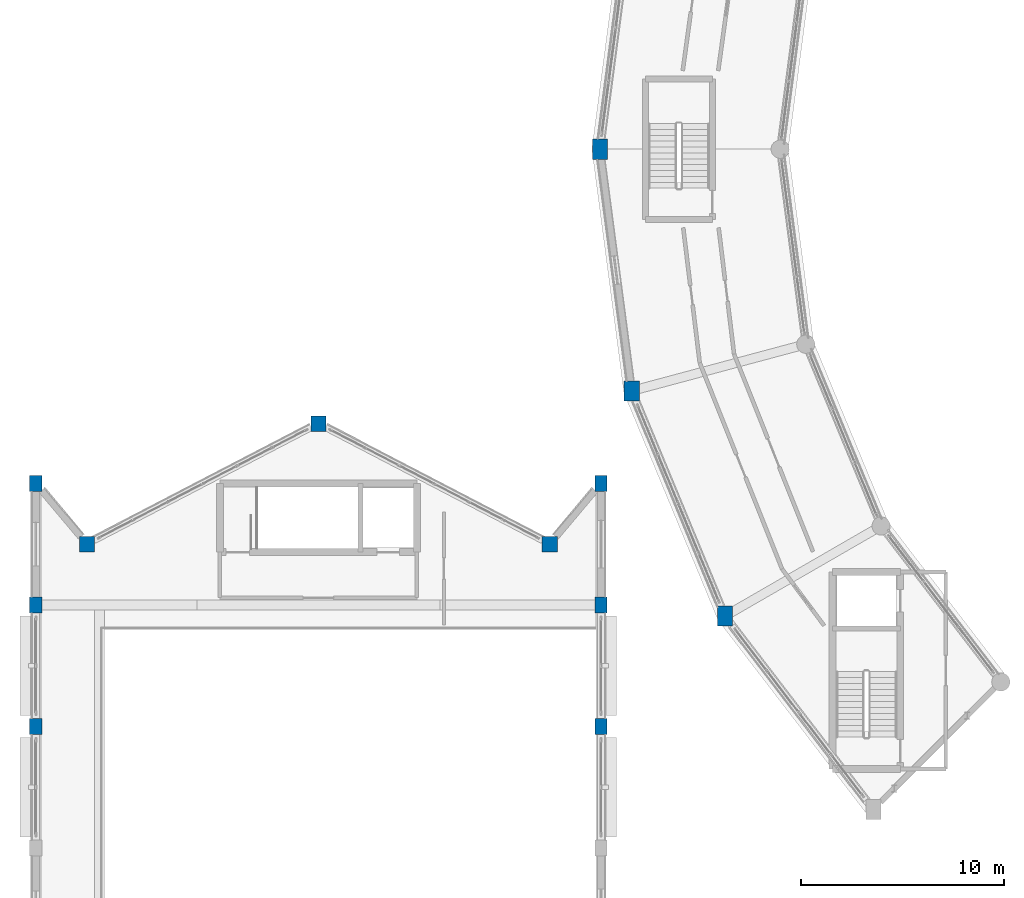
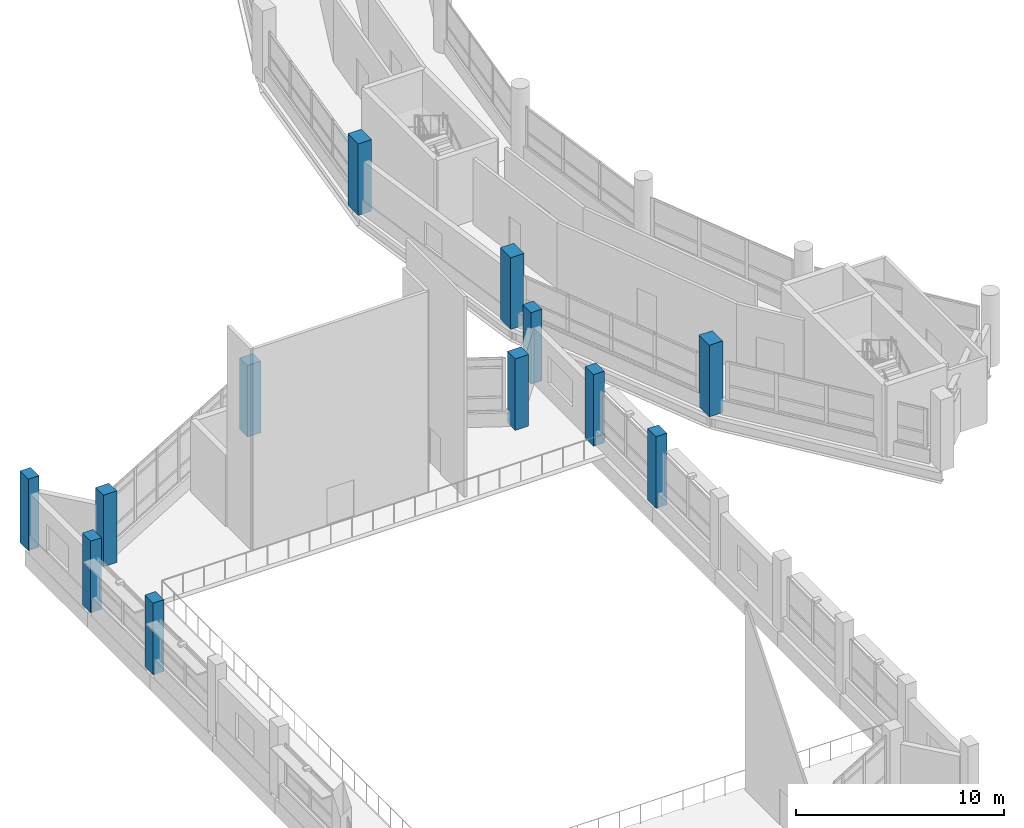
# One storey, part 3 of 128: 12 columns.
"""IFC4 building model written with IfcOpenShell, lengths in metres."""

from ifc_helpers import new_model, si_unit, direction, frame, origin, origin_2d, place, context, subcontext, project, spatial, rectangle, extrude, material, material_profile, profile_set, type_object, element, save


model = new_model("IFC4")

# Units and contexts
model_context = context("Model", 3, precision=1e-05, world=origin(), true_north=direction((0.0, 1.0)))
body_context = subcontext(model_context, "Body", "Model", "MODEL_VIEW")
ifc_project = project(units=[si_unit("LENGTHUNIT", "METRE"), si_unit("AREAUNIT", "SQUARE_METRE"), si_unit("VOLUMEUNIT", "CUBIC_METRE"), si_unit("PLANEANGLEUNIT", "RADIAN"), si_unit("MASSUNIT", "GRAM", prefix="KILO")], contexts=[model_context])

# Site, building, storey
site_placement = place(None, origin())
site = spatial("IfcSite", under=ifc_project, at=site_placement, CompositionType="ELEMENT")
building_placement = place(site_placement, origin())
building = spatial("IfcBuilding", under=site, at=building_placement, Name="Vespera Passage Community Centre", CompositionType="ELEMENT")
storey_placement = place(building_placement, frame((0.0, 0.0, 4.5)))
storey = spatial("IfcBuildingStorey", under=building, at=storey_placement, Name="L01", CompositionType="ELEMENT", Elevation=4.5)

# Columns
ifc_material_1 = material(Name="Concrete f'c 45 MPa", Category="concrete")
ifc_material_profile_1 = material_profile(ifc_material_1, rectangle(XDim=0.75, YDim=1.0, at=origin_2d()), Name="RC1000X750")
ifc_profile_set_1 = profile_set([ifc_material_profile_1], Name="Concrete f'c 45 MPa")
column_type_1 = type_object("IfcColumnType", Name="COL-RC1000X750E", PredefinedType="COLUMN", material=ifc_profile_set_1)
for number, where, z_axis, x_axis, name in (
    (1, (31.89990234375, 65.5, 0.0), (0.0, 0.0, 1.0), (1.0, 0.0, 0.0), "L01 Column V4-O12"),
    (2, (33.470703125, 53.568359375, 0.0), (0.0, 0.0, 1.0), (1.0, 0.0, 0.0), "L01 Column V4-O13"),
    (3, (38.076171875, 42.449951171875, 0.0), (0.0, 0.0, 1.0), (1.0, 0.0, 0.0), "L01 Column V4-O14"),
):
    element("IfcColumn", number, at=place(storey_placement, frame(where, z_axis=z_axis, x_axis=x_axis)), inside=storey, type_object=column_type_1, Name=name, PredefinedType="COLUMN", context=body_context, shape_type="SweptSolid", body=[
        extrude(rectangle(XDim=0.75, YDim=1.0, at=origin_2d()), origin(), (0.0, 0.0, 1.0), 4.199951171875),
    ])
ifc_material_2 = material(Name="Concrete f'c 45 MPa", Category="concrete")
ifc_material_profile_2 = material_profile(ifc_material_2, rectangle(XDim=0.75, YDim=0.75, at=origin_2d()), Name="RC750X750")
ifc_profile_set_2 = profile_set([ifc_material_profile_2], Name="Concrete f'c 45 MPa")
column_type_2 = type_object("IfcColumnType", Name="COL-RC750E", PredefinedType="COLUMN", material=ifc_profile_set_2)
for number, where, z_axis, x_axis, name in (
    (4, (29.42724609375, 46.00146484375, 0.0), (0.0, 0.0, 1.0), (1.0, 0.0, 0.0), "L01 Column V1-AN1"),
    (5, (18.0, 51.949951171875, 0.0), (0.0, 0.0, 1.0), (1.0, 0.0, 0.0), "L01 Column V1-AN2"),
    (6, (6.57275390625, 46.00146484375, 0.0), (0.0, 0.0, 1.0), (1.0, 0.0, 0.0), "L01 Column V1-AN3"),
):
    element("IfcColumn", number, at=place(storey_placement, frame(where, z_axis=z_axis, x_axis=x_axis)), inside=storey, type_object=column_type_2, Name=name, PredefinedType="COLUMN", context=body_context, shape_type="SweptSolid", body=[
        extrude(rectangle(XDim=0.75, YDim=0.75, at=origin_2d()), origin(), (0.0, 0.0, 1.0), 4.199951171875),
    ])
ifc_material_3 = material(Name="Concrete f'c 45 MPa", Category="concrete")
ifc_material_profile_3 = material_profile(ifc_material_3, rectangle(XDim=0.60009765625, YDim=0.800048828125, at=origin_2d()), Name="RC800X600")
ifc_profile_set_3 = profile_set([ifc_material_profile_3], Name="Concrete f'c 45 MPa")
column_type_3 = type_object("IfcColumnType", Name="COL-RC800X600E", PredefinedType="COLUMN", material=ifc_profile_set_3)
for number, where, z_axis, x_axis, name in (
    (7, (31.949951171875, 37.0, 0.0), (0.0, 0.0, 1.0), (1.0, 0.0, 0.0), "L01 Column V1-E6"),
    (8, (31.949951171875, 43.0, 0.0), (0.0, 0.0, 1.0), (1.0, 0.0, 0.0), "L01 Column V1-E7"),
    (9, (31.949951171875, 49.0, 0.0), (0.0, 0.0, 1.0), (1.0, 0.0, 0.0), "L01 Column V1-E8"),
    (10, (4.050048828125, 37.0, 0.0), (0.0, 0.0, 1.0), (1.0, 0.0, 0.0), "L01 Column V1-W6"),
    (11, (4.050048828125, 43.0, 0.0), (0.0, 0.0, 1.0), (1.0, 0.0, 0.0), "L01 Column V1-W7"),
    (12, (4.050048828125, 49.0, 0.0), (0.0, 0.0, 1.0), (1.0, 0.0, 0.0), "L01 Column V1-W8"),
):
    element("IfcColumn", number, at=place(storey_placement, frame(where, z_axis=z_axis, x_axis=x_axis)), inside=storey, type_object=column_type_3, Name=name, PredefinedType="COLUMN", context=body_context, shape_type="SweptSolid", body=[
        extrude(rectangle(XDim=0.60009765625, YDim=0.800048828125, at=origin_2d()), origin(), (0.0, 0.0, 1.0), 4.199951171875),
    ])

save(model, "model.ifc")
